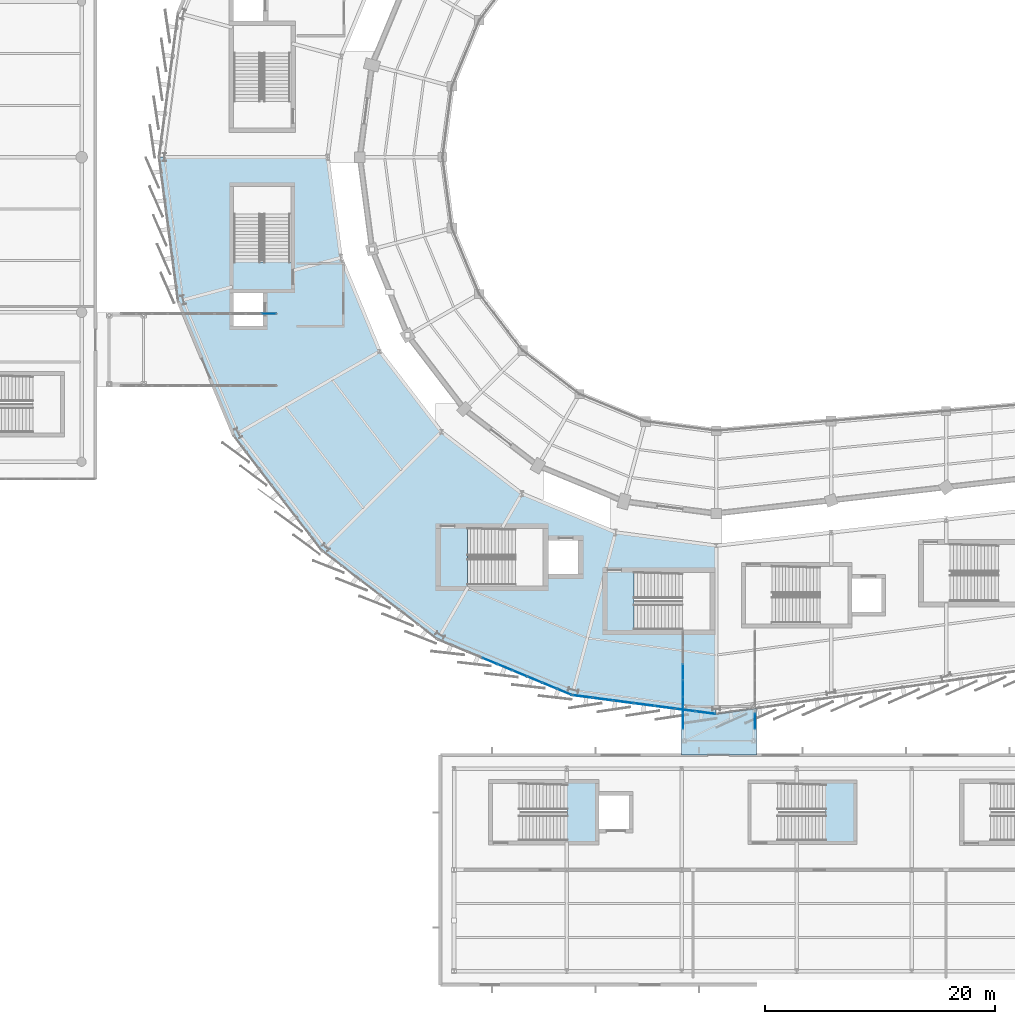
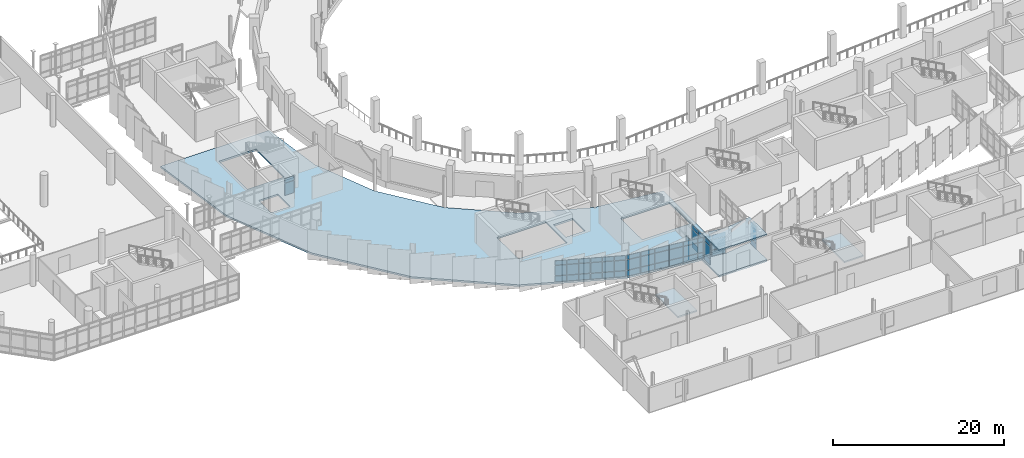
# One storey, part 82 of 125: 54 plates, 5 slabs, 7 elements without a shape of their own.
"""IFC4 building model written with IfcOpenShell, lengths in metres."""

from ifc_helpers import new_model, si_unit, direction, frame, origin, origin_2d, place, context, subcontext, project, spatial, polyline, rectangle, outline, extrude, material, layer, layer_set, type_object, element, aggregate, save


model = new_model("IFC4")

# Units and contexts
model_context = context("Model", 3, precision=1e-05, world=origin(), true_north=direction((0.0, 1.0)))
body_context = subcontext(model_context, "Body", "Model", "MODEL_VIEW")
ifc_project = project(units=[si_unit("LENGTHUNIT", "METRE"), si_unit("AREAUNIT", "SQUARE_METRE"), si_unit("VOLUMEUNIT", "CUBIC_METRE"), si_unit("PLANEANGLEUNIT", "RADIAN"), si_unit("MASSUNIT", "GRAM", prefix="KILO")], contexts=[model_context])

# Site, building, storey
site_placement = place(None, origin())
site = spatial("IfcSite", under=ifc_project, at=site_placement, CompositionType="ELEMENT")
building_placement = place(site_placement, origin())
building = spatial("IfcBuilding", under=site, at=building_placement, Name="Sohan Crest Arena", CompositionType="ELEMENT")
storey_placement = place(building_placement, frame((0.0, 0.0, 9.0)))
storey = spatial("IfcBuildingStorey", under=building, at=storey_placement, Name="L02", CompositionType="ELEMENT", Elevation=9.0)

# Curtain wall, plates
ifc_material_1 = material(Name="Thermally broken anodised aluminium", Category="aluminium")
ifc_layer_1 = layer(ifc_material_1, 0.18994140625, Name="Thermally broken anodised aluminium")
ifc_layer_set_1 = layer_set([ifc_layer_1], Name="Thermally broken anodised aluminium")
curtain_wall_type_1 = type_object("IfcCurtainWallType", Name="ARC-CW05", PredefinedType="NOTDEFINED", material=ifc_layer_set_1)
curtain_wall_1_placement = place(storey_placement, origin())
curtain_wall_1 = element("IfcCurtainWall", 1, at=curtain_wall_1_placement, inside=storey, type_object=curtain_wall_type_1, Name="Unitised curtain wall CW-228", PredefinedType="NOTDEFINED")
ifc_material_2 = material(Name="Low-E double-glazed insulated glass", Category="glass")
ifc_layer_2 = layer(ifc_material_2, 0.028076171875, Name="Low-E double-glazed insulated glass")
ifc_layer_set_2 = layer_set([ifc_layer_2], Name="Low-E double-glazed insulated glass")
plate_type_1 = type_object("IfcPlateType", Name="ARC-CNP01", PredefinedType="CURTAIN_PANEL", material=ifc_layer_set_2)
plate_1_placement = place(storey_placement, frame((59.103759765625, 64.3798828125, 0.93017578125), z_axis=(0.0, 0.0, 1.0), x_axis=(1.0, 0.0, 0.0)))
plate_1 = element("IfcPlate", 2, at=plate_1_placement, type_object=plate_type_1, Name="CW-228 panel 10.2", PredefinedType="CURTAIN_PANEL", context=body_context, shape_type="SweptSolid", body=[
    extrude(rectangle(XDim=1.262451171875, YDim=0.028076171875, at=origin_2d()), origin(), (0.0, 0.0, 1.0), 1.739990234375),
])
plate_2_placement = place(storey_placement, frame((59.103759765625, 64.3798828125, 2.72998046875), z_axis=(0.0, 0.0, 1.0), x_axis=(1.0, 0.0, 0.0)))
plate_2 = element("IfcPlate", 3, at=plate_2_placement, type_object=plate_type_1, Name="CW-228 panel 10.3", PredefinedType="CURTAIN_PANEL", context=body_context, shape_type="SweptSolid", body=[
    extrude(rectangle(XDim=1.262451171875, YDim=0.028076171875, at=origin_2d()), origin(), (0.0, 0.0, 1.0), 0.610107421875),
])
aggregate(curtain_wall_1, [plate_1, plate_2])

curtain_wall_2_placement = place(storey_placement, origin())
curtain_wall_2 = element("IfcCurtainWall", 4, at=curtain_wall_2_placement, inside=storey, type_object=curtain_wall_type_1, Name="Unitised curtain wall CW-251", PredefinedType="NOTDEFINED")
plate_3_placement = place(storey_placement, frame((95.1201171875, 28.932861328125, 0.06005859375), z_axis=(0.0, 0.0, 1.0), x_axis=(0.0, 1.0, 0.0)))
plate_3 = element("IfcPlate", 5, at=plate_3_placement, type_object=plate_type_1, Name="CW-251 panel 1.1", PredefinedType="CURTAIN_PANEL", context=body_context, shape_type="SweptSolid", body=[
    extrude(rectangle(XDim=1.3359375, YDim=0.028076171875, at=origin_2d()), origin(), (0.0, 0.0, 1.0), 0.81005859375),
])
plate_4_placement = place(storey_placement, frame((95.1201171875, 28.932861328125, 0.93017578125), z_axis=(0.0, 0.0, 1.0), x_axis=(0.0, 1.0, 0.0)))
plate_4 = element("IfcPlate", 6, at=plate_4_placement, type_object=plate_type_1, Name="CW-251 panel 1.2", PredefinedType="CURTAIN_PANEL", context=body_context, shape_type="SweptSolid", body=[
    extrude(rectangle(XDim=1.3359375, YDim=0.028076171875, at=origin_2d()), origin(), (0.0, 0.0, 1.0), 1.739990234375),
])
plate_5_placement = place(storey_placement, frame((95.1201171875, 28.932861328125, 2.72998046875), z_axis=(0.0, 0.0, 1.0), x_axis=(0.0, 1.0, 0.0)))
plate_5 = element("IfcPlate", 7, at=plate_5_placement, type_object=plate_type_1, Name="CW-251 panel 1.3", PredefinedType="CURTAIN_PANEL", context=body_context, shape_type="SweptSolid", body=[
    extrude(rectangle(XDim=1.3359375, YDim=0.028076171875, at=origin_2d()), origin(), (0.0, 0.0, 1.0), 0.610107421875),
])
plate_6_placement = place(storey_placement, frame((95.1201171875, 30.35009765625, 0.06005859375), z_axis=(0.0, 0.0, 1.0), x_axis=(0.0, 1.0, 0.0)))
plate_6 = element("IfcPlate", 8, at=plate_6_placement, type_object=plate_type_1, Name="CW-251 panel 2.1", PredefinedType="CURTAIN_PANEL", context=body_context, shape_type="SweptSolid", body=[
    extrude(rectangle(XDim=1.368408203125, YDim=0.028076171875, at=origin_2d()), origin(), (0.0, 0.0, 1.0), 0.81005859375),
])
plate_7_placement = place(storey_placement, frame((95.1201171875, 30.35009765625, 0.93017578125), z_axis=(0.0, 0.0, 1.0), x_axis=(0.0, 1.0, 0.0)))
plate_7 = element("IfcPlate", 9, at=plate_7_placement, type_object=plate_type_1, Name="CW-251 panel 2.2", PredefinedType="CURTAIN_PANEL", context=body_context, shape_type="SweptSolid", body=[
    extrude(rectangle(XDim=1.368408203125, YDim=0.028076171875, at=origin_2d()), origin(), (0.0, 0.0, 1.0), 1.739990234375),
])
plate_8_placement = place(storey_placement, frame((95.1201171875, 30.35009765625, 2.72998046875), z_axis=(0.0, 0.0, 1.0), x_axis=(0.0, 1.0, 0.0)))
plate_8 = element("IfcPlate", 10, at=plate_8_placement, type_object=plate_type_1, Name="CW-251 panel 2.3", PredefinedType="CURTAIN_PANEL", context=body_context, shape_type="SweptSolid", body=[
    extrude(rectangle(XDim=1.368408203125, YDim=0.028076171875, at=origin_2d()), origin(), (0.0, 0.0, 1.0), 0.610107421875),
])
plate_9_placement = place(storey_placement, frame((95.1201171875, 31.783447265625, 0.06005859375), z_axis=(0.0, 0.0, 1.0), x_axis=(0.0, 1.0, 0.0)))
plate_9 = element("IfcPlate", 11, at=plate_9_placement, type_object=plate_type_1, Name="CW-251 panel 3.1", PredefinedType="CURTAIN_PANEL", context=body_context, shape_type="SweptSolid", body=[
    extrude(rectangle(XDim=1.368408203125, YDim=0.028076171875, at=origin_2d()), origin(), (0.0, 0.0, 1.0), 0.81005859375),
])
plate_10_placement = place(storey_placement, frame((95.1201171875, 31.783447265625, 0.93017578125), z_axis=(0.0, 0.0, 1.0), x_axis=(0.0, 1.0, 0.0)))
plate_10 = element("IfcPlate", 12, at=plate_10_placement, type_object=plate_type_1, Name="CW-251 panel 3.2", PredefinedType="CURTAIN_PANEL", context=body_context, shape_type="SweptSolid", body=[
    extrude(rectangle(XDim=1.368408203125, YDim=0.028076171875, at=origin_2d()), origin(), (0.0, 0.0, 1.0), 1.739990234375),
])
plate_11_placement = place(storey_placement, frame((95.1201171875, 31.783447265625, 2.72998046875), z_axis=(0.0, 0.0, 1.0), x_axis=(0.0, 1.0, 0.0)))
plate_11 = element("IfcPlate", 13, at=plate_11_placement, type_object=plate_type_1, Name="CW-251 panel 3.3", PredefinedType="CURTAIN_PANEL", context=body_context, shape_type="SweptSolid", body=[
    extrude(rectangle(XDim=1.368408203125, YDim=0.028076171875, at=origin_2d()), origin(), (0.0, 0.0, 1.0), 0.610107421875),
])
plate_12_placement = place(storey_placement, frame((95.1201171875, 33.216552734375, 0.06005859375), z_axis=(0.0, 0.0, 1.0), x_axis=(0.0, 1.0, 0.0)))
plate_12 = element("IfcPlate", 14, at=plate_12_placement, type_object=plate_type_1, Name="CW-251 panel 4.1", PredefinedType="CURTAIN_PANEL", context=body_context, shape_type="SweptSolid", body=[
    extrude(rectangle(XDim=1.368408203125, YDim=0.028076171875, at=origin_2d()), origin(), (0.0, 0.0, 1.0), 0.81005859375),
])
aggregate(curtain_wall_2, [plate_3, plate_4, plate_5, plate_6, plate_7, plate_8, plate_9, plate_10, plate_11, plate_12])

curtain_wall_3_placement = place(storey_placement, origin())
curtain_wall_3 = element("IfcCurtainWall", 15, at=curtain_wall_3_placement, inside=storey, type_object=curtain_wall_type_1, Name="Unitised curtain wall CW-252", PredefinedType="NOTDEFINED")
plate_13_placement = place(storey_placement, frame((101.3798828125, 28.932861328125, 0.06005859375), z_axis=(0.0, 0.0, 1.0), x_axis=(0.0, 1.0, 0.0)))
plate_13 = element("IfcPlate", 16, at=plate_13_placement, type_object=plate_type_1, Name="CW-252 panel 1.1", PredefinedType="CURTAIN_PANEL", context=body_context, shape_type="SweptSolid", body=[
    extrude(rectangle(XDim=1.3359375, YDim=0.028076171875, at=origin_2d()), origin(), (0.0, 0.0, 1.0), 0.81005859375),
])
plate_14_placement = place(storey_placement, frame((101.3798828125, 28.932861328125, 0.93017578125), z_axis=(0.0, 0.0, 1.0), x_axis=(0.0, 1.0, 0.0)))
plate_14 = element("IfcPlate", 17, at=plate_14_placement, type_object=plate_type_1, Name="CW-252 panel 1.2", PredefinedType="CURTAIN_PANEL", context=body_context, shape_type="SweptSolid", body=[
    extrude(rectangle(XDim=1.3359375, YDim=0.028076171875, at=origin_2d()), origin(), (0.0, 0.0, 1.0), 1.739990234375),
])
plate_15_placement = place(storey_placement, frame((101.3798828125, 28.932861328125, 2.72998046875), z_axis=(0.0, 0.0, 1.0), x_axis=(0.0, 1.0, 0.0)))
plate_15 = element("IfcPlate", 18, at=plate_15_placement, type_object=plate_type_1, Name="CW-252 panel 1.3", PredefinedType="CURTAIN_PANEL", context=body_context, shape_type="SweptSolid", body=[
    extrude(rectangle(XDim=1.3359375, YDim=0.028076171875, at=origin_2d()), origin(), (0.0, 0.0, 1.0), 0.610107421875),
])
aggregate(curtain_wall_3, [plate_13, plate_14, plate_15])

curtain_wall_4_placement = place(storey_placement, origin())
curtain_wall_4 = element("IfcCurtainWall", 19, at=curtain_wall_4_placement, inside=storey, type_object=curtain_wall_type_1, Name="Unitised curtain wall CW-058", PredefinedType="NOTDEFINED")
ifc_material_3 = material(Name="Ceramic-fritted solar-control insulated glass", Category="glass")
ifc_layer_3 = layer(ifc_material_3, 0.035888671875, Name="Ceramic-fritted solar-control insulated glass")
ifc_layer_set_3 = layer_set([ifc_layer_3], Name="Ceramic-fritted solar-control insulated glass")
plate_type_2 = type_object("IfcPlateType", Name="ARC-CNP03", PredefinedType="CURTAIN_PANEL", material=ifc_layer_set_3)
plate_16_placement = place(storey_placement, frame((78.319091796875, 34.15869140625, 0.06494140625), z_axis=(0.0, 0.0, 1.0), x_axis=(0.92388192189, -0.382677663845, 0.0)))
plate_16 = element("IfcPlate", 20, at=plate_16_placement, type_object=plate_type_2, Name="CW-058 panel 4.1", PredefinedType="CURTAIN_PANEL", context=body_context, shape_type="SweptSolid", body=[
    extrude(rectangle(XDim=1.335205078125, YDim=0.035888671875, at=origin_2d()), origin(), (0.0, 0.0, 1.0), 0.802490234375),
])
plate_17_placement = place(storey_placement, frame((78.319091796875, 34.15869140625, 0.932373046875), z_axis=(0.0, 0.0, 1.0), x_axis=(0.92388192189, -0.382677663845, 0.0)))
plate_17 = element("IfcPlate", 21, at=plate_17_placement, type_object=plate_type_2, Name="CW-058 panel 4.2", PredefinedType="CURTAIN_PANEL", context=body_context, shape_type="SweptSolid", body=[
    extrude(rectangle(XDim=1.335205078125, YDim=0.035888671875, at=origin_2d()), origin(), (0.0, 0.0, 1.0), 1.455078125),
])
plate_18_placement = place(storey_placement, frame((78.319091796875, 34.15869140625, 2.452392578125), z_axis=(0.0, 0.0, 1.0), x_axis=(0.92388192189, -0.382677663845, 0.0)))
plate_18 = element("IfcPlate", 22, at=plate_18_placement, type_object=plate_type_2, Name="CW-058 panel 4.3", PredefinedType="CURTAIN_PANEL", context=body_context, shape_type="SweptSolid", body=[
    extrude(rectangle(XDim=1.335205078125, YDim=0.035888671875, at=origin_2d()), origin(), (0.0, 0.0, 1.0), 0.6025390625),
])
plate_19_placement = place(storey_placement, frame((79.617431640625, 33.62109375, 0.06494140625), z_axis=(0.0, 0.0, 1.0), x_axis=(0.92388192189, -0.382677663845, 0.0)))
plate_19 = element("IfcPlate", 23, at=plate_19_placement, type_object=plate_type_2, Name="CW-058 panel 5.1", PredefinedType="CURTAIN_PANEL", context=body_context, shape_type="SweptSolid", body=[
    extrude(rectangle(XDim=1.335205078125, YDim=0.035888671875, at=origin_2d()), origin(), (0.0, 0.0, 1.0), 0.802490234375),
])
plate_20_placement = place(storey_placement, frame((79.617431640625, 33.62109375, 0.932373046875), z_axis=(0.0, 0.0, 1.0), x_axis=(0.92388192189, -0.382677663845, 0.0)))
plate_20 = element("IfcPlate", 24, at=plate_20_placement, type_object=plate_type_2, Name="CW-058 panel 5.2", PredefinedType="CURTAIN_PANEL", context=body_context, shape_type="SweptSolid", body=[
    extrude(rectangle(XDim=1.335205078125, YDim=0.035888671875, at=origin_2d()), origin(), (0.0, 0.0, 1.0), 1.455078125),
])
plate_21_placement = place(storey_placement, frame((79.617431640625, 33.62109375, 2.452392578125), z_axis=(0.0, 0.0, 1.0), x_axis=(0.92388192189, -0.382677663845, 0.0)))
plate_21 = element("IfcPlate", 25, at=plate_21_placement, type_object=plate_type_2, Name="CW-058 panel 5.3", PredefinedType="CURTAIN_PANEL", context=body_context, shape_type="SweptSolid", body=[
    extrude(rectangle(XDim=1.335205078125, YDim=0.035888671875, at=origin_2d()), origin(), (0.0, 0.0, 1.0), 0.6025390625),
])
plate_22_placement = place(storey_placement, frame((80.915771484375, 33.083251953125, 0.06494140625), z_axis=(0.0, 0.0, 1.0), x_axis=(0.92388192189, -0.382677663845, 0.0)))
plate_22 = element("IfcPlate", 26, at=plate_22_placement, type_object=plate_type_2, Name="CW-058 panel 6.1", PredefinedType="CURTAIN_PANEL", context=body_context, shape_type="SweptSolid", body=[
    extrude(rectangle(XDim=1.335205078125, YDim=0.035888671875, at=origin_2d()), origin(), (0.0, 0.0, 1.0), 0.802490234375),
])
plate_23_placement = place(storey_placement, frame((80.915771484375, 33.083251953125, 0.932373046875), z_axis=(0.0, 0.0, 1.0), x_axis=(0.92388192189, -0.382677663845, 0.0)))
plate_23 = element("IfcPlate", 27, at=plate_23_placement, type_object=plate_type_2, Name="CW-058 panel 6.2", PredefinedType="CURTAIN_PANEL", context=body_context, shape_type="SweptSolid", body=[
    extrude(rectangle(XDim=1.335205078125, YDim=0.035888671875, at=origin_2d()), origin(), (0.0, 0.0, 1.0), 1.455078125),
])
plate_24_placement = place(storey_placement, frame((80.915771484375, 33.083251953125, 2.452392578125), z_axis=(0.0, 0.0, 1.0), x_axis=(0.92388192189, -0.382677663845, 0.0)))
plate_24 = element("IfcPlate", 28, at=plate_24_placement, type_object=plate_type_2, Name="CW-058 panel 6.3", PredefinedType="CURTAIN_PANEL", context=body_context, shape_type="SweptSolid", body=[
    extrude(rectangle(XDim=1.335205078125, YDim=0.035888671875, at=origin_2d()), origin(), (0.0, 0.0, 1.0), 0.6025390625),
])
plate_25_placement = place(storey_placement, frame((82.214111328125, 32.54541015625, 0.06494140625), z_axis=(0.0, 0.0, 1.0), x_axis=(0.92388192189, -0.382677663845, 0.0)))
plate_25 = element("IfcPlate", 29, at=plate_25_placement, type_object=plate_type_2, Name="CW-058 panel 7.1", PredefinedType="CURTAIN_PANEL", context=body_context, shape_type="SweptSolid", body=[
    extrude(rectangle(XDim=1.335205078125, YDim=0.035888671875, at=origin_2d()), origin(), (0.0, 0.0, 1.0), 0.802490234375),
])
plate_26_placement = place(storey_placement, frame((82.214111328125, 32.54541015625, 0.932373046875), z_axis=(0.0, 0.0, 1.0), x_axis=(0.92388192189, -0.382677663845, 0.0)))
plate_26 = element("IfcPlate", 30, at=plate_26_placement, type_object=plate_type_2, Name="CW-058 panel 7.2", PredefinedType="CURTAIN_PANEL", context=body_context, shape_type="SweptSolid", body=[
    extrude(rectangle(XDim=1.335205078125, YDim=0.035888671875, at=origin_2d()), origin(), (0.0, 0.0, 1.0), 1.455078125),
])
plate_27_placement = place(storey_placement, frame((82.214111328125, 32.54541015625, 2.452392578125), z_axis=(0.0, 0.0, 1.0), x_axis=(0.92388192189, -0.382677663845, 0.0)))
plate_27 = element("IfcPlate", 31, at=plate_27_placement, type_object=plate_type_2, Name="CW-058 panel 7.3", PredefinedType="CURTAIN_PANEL", context=body_context, shape_type="SweptSolid", body=[
    extrude(rectangle(XDim=1.335205078125, YDim=0.035888671875, at=origin_2d()), origin(), (0.0, 0.0, 1.0), 0.6025390625),
])
plate_28_placement = place(storey_placement, frame((83.512451171875, 32.007568359375, 0.06494140625), z_axis=(0.0, 0.0, 1.0), x_axis=(0.92388192189, -0.382677663845, 0.0)))
plate_28 = element("IfcPlate", 32, at=plate_28_placement, type_object=plate_type_2, Name="CW-058 panel 8.1", PredefinedType="CURTAIN_PANEL", context=body_context, shape_type="SweptSolid", body=[
    extrude(rectangle(XDim=1.335205078125, YDim=0.035888671875, at=origin_2d()), origin(), (0.0, 0.0, 1.0), 0.802490234375),
])
plate_29_placement = place(storey_placement, frame((83.512451171875, 32.007568359375, 0.932373046875), z_axis=(0.0, 0.0, 1.0), x_axis=(0.92388192189, -0.382677663845, 0.0)))
plate_29 = element("IfcPlate", 33, at=plate_29_placement, type_object=plate_type_2, Name="CW-058 panel 8.2", PredefinedType="CURTAIN_PANEL", context=body_context, shape_type="SweptSolid", body=[
    extrude(rectangle(XDim=1.335205078125, YDim=0.035888671875, at=origin_2d()), origin(), (0.0, 0.0, 1.0), 1.455078125),
])
plate_30_placement = place(storey_placement, frame((83.512451171875, 32.007568359375, 2.452392578125), z_axis=(0.0, 0.0, 1.0), x_axis=(0.92388192189, -0.382677663845, 0.0)))
plate_30 = element("IfcPlate", 34, at=plate_30_placement, type_object=plate_type_2, Name="CW-058 panel 8.3", PredefinedType="CURTAIN_PANEL", context=body_context, shape_type="SweptSolid", body=[
    extrude(rectangle(XDim=1.335205078125, YDim=0.035888671875, at=origin_2d()), origin(), (0.0, 0.0, 1.0), 0.6025390625),
])
plate_31_placement = place(storey_placement, frame((84.794677734375, 31.4765625, 0.06494140625), z_axis=(0.0, 0.0, 1.0), x_axis=(0.92388192189, -0.382677663845, 0.0)))
plate_31 = element("IfcPlate", 35, at=plate_31_placement, type_object=plate_type_2, Name="CW-058 panel 9.1", PredefinedType="CURTAIN_PANEL", context=body_context, shape_type="SweptSolid", body=[
    extrude(rectangle(XDim=1.30029296875, YDim=0.035888671875, at=origin_2d()), origin(), (0.0, 0.0, 1.0), 0.802490234375),
])
plate_32_placement = place(storey_placement, frame((84.794677734375, 31.4765625, 0.932373046875), z_axis=(0.0, 0.0, 1.0), x_axis=(0.92388192189, -0.382677663845, 0.0)))
plate_32 = element("IfcPlate", 36, at=plate_32_placement, type_object=plate_type_2, Name="CW-058 panel 9.2", PredefinedType="CURTAIN_PANEL", context=body_context, shape_type="SweptSolid", body=[
    extrude(rectangle(XDim=1.30029296875, YDim=0.035888671875, at=origin_2d()), origin(), (0.0, 0.0, 1.0), 1.455078125),
])
plate_33_placement = place(storey_placement, frame((84.794677734375, 31.4765625, 2.452392578125), z_axis=(0.0, 0.0, 1.0), x_axis=(0.92388192189, -0.382677663845, 0.0)))
plate_33 = element("IfcPlate", 37, at=plate_33_placement, type_object=plate_type_2, Name="CW-058 panel 9.3", PredefinedType="CURTAIN_PANEL", context=body_context, shape_type="SweptSolid", body=[
    extrude(rectangle(XDim=1.30029296875, YDim=0.035888671875, at=origin_2d()), origin(), (0.0, 0.0, 1.0), 0.6025390625),
])
aggregate(curtain_wall_4, [plate_16, plate_17, plate_18, plate_19, plate_20, plate_21, plate_22, plate_23, plate_24, plate_25, plate_26, plate_27, plate_28, plate_29, plate_30, plate_31, plate_32, plate_33])

ifc_layer_4 = layer(ifc_material_1, 0.2099609375, Name="Thermally broken anodised aluminium")
ifc_layer_set_4 = layer_set([ifc_layer_4], Name="Thermally broken anodised aluminium")
curtain_wall_type_2 = type_object("IfcCurtainWallType", Name="ARC-CW06", PredefinedType="NOTDEFINED", material=ifc_layer_set_4)
curtain_wall_5_placement = place(storey_placement, origin())
curtain_wall_5 = element("IfcCurtainWall", 38, at=curtain_wall_5_placement, inside=storey, type_object=curtain_wall_type_2, Name="Unitised curtain wall CW-059", PredefinedType="NOTDEFINED")
ifc_material_4 = material(Name="Insulated polychrome ceramic spandrel panel", Category="masonry")
ifc_layer_5 = layer(ifc_material_4, 0.0419921875, Name="Insulated polychrome ceramic spandrel panel")
ifc_layer_set_5 = layer_set([ifc_layer_5], Name="Insulated polychrome ceramic spandrel panel")
plate_type_3 = type_object("IfcPlateType", Name="ARC-CNP04", PredefinedType="CURTAIN_PANEL", material=ifc_layer_set_5)
plate_34_placement = place(storey_placement, frame((86.374267578125, 31.08056640625, 0.070068359375), z_axis=(0.0, 0.0, 1.0), x_axis=(0.991444066575, -0.130532229177, 0.0)))
plate_34 = element("IfcPlate", 39, at=plate_34_placement, type_object=plate_type_3, Name="CW-059 panel 1.1", PredefinedType="CURTAIN_PANEL", context=body_context, shape_type="SweptSolid", body=[
    extrude(rectangle(XDim=1.6943359375, YDim=0.0419921875, at=origin_2d()), origin(), (0.0, 0.0, 1.0), 0.794921875),
])
plate_35_placement = place(storey_placement, frame((86.374267578125, 31.08056640625, 0.93505859375), z_axis=(0.0, 0.0, 1.0), x_axis=(0.991444066575, -0.130532229177, 0.0)))
plate_35 = element("IfcPlate", 40, at=plate_35_placement, type_object=plate_type_3, Name="CW-059 panel 1.2", PredefinedType="CURTAIN_PANEL", context=body_context, shape_type="SweptSolid", body=[
    extrude(rectangle(XDim=1.6943359375, YDim=0.0419921875, at=origin_2d()), origin(), (0.0, 0.0, 1.0), 1.449951171875),
])
plate_36_placement = place(storey_placement, frame((86.374267578125, 31.08056640625, 2.455078125), z_axis=(0.0, 0.0, 1.0), x_axis=(0.991444066575, -0.130532229177, 0.0)))
plate_36 = element("IfcPlate", 41, at=plate_36_placement, type_object=plate_type_3, Name="CW-059 panel 1.3", PredefinedType="CURTAIN_PANEL", context=body_context, shape_type="SweptSolid", body=[
    extrude(rectangle(XDim=1.6943359375, YDim=0.0419921875, at=origin_2d()), origin(), (0.0, 0.0, 1.0), 0.594970703125),
])
plate_37_placement = place(storey_placement, frame((88.147216796875, 30.84716796875, 0.070068359375), z_axis=(0.0, 0.0, 1.0), x_axis=(0.991444066575, -0.130532229177, 0.0)))
plate_37 = element("IfcPlate", 42, at=plate_37_placement, type_object=plate_type_3, Name="CW-059 panel 2.1", PredefinedType="CURTAIN_PANEL", context=body_context, shape_type="SweptSolid", body=[
    extrude(rectangle(XDim=1.73193359375, YDim=0.0419921875, at=origin_2d()), origin(), (0.0, 0.0, 1.0), 0.794921875),
])
plate_38_placement = place(storey_placement, frame((88.147216796875, 30.84716796875, 0.93505859375), z_axis=(0.0, 0.0, 1.0), x_axis=(0.991444066575, -0.130532229177, 0.0)))
plate_38 = element("IfcPlate", 43, at=plate_38_placement, type_object=plate_type_3, Name="CW-059 panel 2.2", PredefinedType="CURTAIN_PANEL", context=body_context, shape_type="SweptSolid", body=[
    extrude(rectangle(XDim=1.73193359375, YDim=0.0419921875, at=origin_2d()), origin(), (0.0, 0.0, 1.0), 1.449951171875),
])
plate_39_placement = place(storey_placement, frame((88.147216796875, 30.84716796875, 2.455078125), z_axis=(0.0, 0.0, 1.0), x_axis=(0.991444066575, -0.130532229177, 0.0)))
plate_39 = element("IfcPlate", 44, at=plate_39_placement, type_object=plate_type_3, Name="CW-059 panel 2.3", PredefinedType="CURTAIN_PANEL", context=body_context, shape_type="SweptSolid", body=[
    extrude(rectangle(XDim=1.73193359375, YDim=0.0419921875, at=origin_2d()), origin(), (0.0, 0.0, 1.0), 0.594970703125),
])
plate_40_placement = place(storey_placement, frame((89.9384765625, 30.611328125, 0.070068359375), z_axis=(0.0, 0.0, 1.0), x_axis=(0.991444066575, -0.130532229177, 0.0)))
plate_40 = element("IfcPlate", 45, at=plate_40_placement, type_object=plate_type_3, Name="CW-059 panel 3.1", PredefinedType="CURTAIN_PANEL", context=body_context, shape_type="SweptSolid", body=[
    extrude(rectangle(XDim=1.73193359375, YDim=0.0419921875, at=origin_2d()), origin(), (0.0, 0.0, 1.0), 0.794921875),
])
plate_41_placement = place(storey_placement, frame((89.9384765625, 30.611328125, 0.93505859375), z_axis=(0.0, 0.0, 1.0), x_axis=(0.991444066575, -0.130532229177, 0.0)))
plate_41 = element("IfcPlate", 46, at=plate_41_placement, type_object=plate_type_3, Name="CW-059 panel 3.2", PredefinedType="CURTAIN_PANEL", context=body_context, shape_type="SweptSolid", body=[
    extrude(rectangle(XDim=1.73193359375, YDim=0.0419921875, at=origin_2d()), origin(), (0.0, 0.0, 1.0), 1.449951171875),
])
plate_42_placement = place(storey_placement, frame((89.9384765625, 30.611328125, 2.455078125), z_axis=(0.0, 0.0, 1.0), x_axis=(0.991444066575, -0.130532229177, 0.0)))
plate_42 = element("IfcPlate", 47, at=plate_42_placement, type_object=plate_type_3, Name="CW-059 panel 3.3", PredefinedType="CURTAIN_PANEL", context=body_context, shape_type="SweptSolid", body=[
    extrude(rectangle(XDim=1.73193359375, YDim=0.0419921875, at=origin_2d()), origin(), (0.0, 0.0, 1.0), 0.594970703125),
])
plate_43_placement = place(storey_placement, frame((91.72998046875, 30.37548828125, 0.070068359375), z_axis=(0.0, 0.0, 1.0), x_axis=(0.991444066575, -0.130532229177, 0.0)))
plate_43 = element("IfcPlate", 48, at=plate_43_placement, type_object=plate_type_3, Name="CW-059 panel 4.1", PredefinedType="CURTAIN_PANEL", context=body_context, shape_type="SweptSolid", body=[
    extrude(rectangle(XDim=1.73193359375, YDim=0.0419921875, at=origin_2d()), origin(), (0.0, 0.0, 1.0), 0.794921875),
])
plate_44_placement = place(storey_placement, frame((91.72998046875, 30.37548828125, 0.93505859375), z_axis=(0.0, 0.0, 1.0), x_axis=(0.991444066575, -0.130532229177, 0.0)))
plate_44 = element("IfcPlate", 49, at=plate_44_placement, type_object=plate_type_3, Name="CW-059 panel 4.2", PredefinedType="CURTAIN_PANEL", context=body_context, shape_type="SweptSolid", body=[
    extrude(rectangle(XDim=1.73193359375, YDim=0.0419921875, at=origin_2d()), origin(), (0.0, 0.0, 1.0), 1.449951171875),
])
plate_45_placement = place(storey_placement, frame((91.72998046875, 30.37548828125, 2.455078125), z_axis=(0.0, 0.0, 1.0), x_axis=(0.991444066575, -0.130532229177, 0.0)))
plate_45 = element("IfcPlate", 50, at=plate_45_placement, type_object=plate_type_3, Name="CW-059 panel 4.3", PredefinedType="CURTAIN_PANEL", context=body_context, shape_type="SweptSolid", body=[
    extrude(rectangle(XDim=1.73193359375, YDim=0.0419921875, at=origin_2d()), origin(), (0.0, 0.0, 1.0), 0.594970703125),
])
plate_46_placement = place(storey_placement, frame((93.521484375, 30.1396484375, 0.070068359375), z_axis=(0.0, 0.0, 1.0), x_axis=(0.991444066575, -0.130532229177, 0.0)))
plate_46 = element("IfcPlate", 51, at=plate_46_placement, type_object=plate_type_3, Name="CW-059 panel 5.1", PredefinedType="CURTAIN_PANEL", context=body_context, shape_type="SweptSolid", body=[
    extrude(rectangle(XDim=1.73193359375, YDim=0.0419921875, at=origin_2d()), origin(), (0.0, 0.0, 1.0), 0.794921875),
])
plate_47_placement = place(storey_placement, frame((93.521484375, 30.1396484375, 0.93505859375), z_axis=(0.0, 0.0, 1.0), x_axis=(0.991444066575, -0.130532229177, 0.0)))
plate_47 = element("IfcPlate", 52, at=plate_47_placement, type_object=plate_type_3, Name="CW-059 panel 5.2", PredefinedType="CURTAIN_PANEL", context=body_context, shape_type="SweptSolid", body=[
    extrude(rectangle(XDim=1.73193359375, YDim=0.0419921875, at=origin_2d()), origin(), (0.0, 0.0, 1.0), 1.449951171875),
])
plate_48_placement = place(storey_placement, frame((93.521484375, 30.1396484375, 2.455078125), z_axis=(0.0, 0.0, 1.0), x_axis=(0.991444066575, -0.130532229177, 0.0)))
plate_48 = element("IfcPlate", 53, at=plate_48_placement, type_object=plate_type_3, Name="CW-059 panel 5.3", PredefinedType="CURTAIN_PANEL", context=body_context, shape_type="SweptSolid", body=[
    extrude(rectangle(XDim=1.73193359375, YDim=0.0419921875, at=origin_2d()), origin(), (0.0, 0.0, 1.0), 0.594970703125),
])
plate_49_placement = place(storey_placement, frame((95.312744140625, 29.90380859375, 0.070068359375), z_axis=(0.0, 0.0, 1.0), x_axis=(0.991444066575, -0.130532229177, 0.0)))
plate_49 = element("IfcPlate", 54, at=plate_49_placement, type_object=plate_type_3, Name="CW-059 panel 6.1", PredefinedType="CURTAIN_PANEL", context=body_context, shape_type="SweptSolid", body=[
    extrude(rectangle(XDim=1.73193359375, YDim=0.0419921875, at=origin_2d()), origin(), (0.0, 0.0, 1.0), 0.794921875),
])
plate_50_placement = place(storey_placement, frame((95.312744140625, 29.90380859375, 0.93505859375), z_axis=(0.0, 0.0, 1.0), x_axis=(0.991444066575, -0.130532229177, 0.0)))
plate_50 = element("IfcPlate", 55, at=plate_50_placement, type_object=plate_type_3, Name="CW-059 panel 6.2", PredefinedType="CURTAIN_PANEL", context=body_context, shape_type="SweptSolid", body=[
    extrude(rectangle(XDim=1.73193359375, YDim=0.0419921875, at=origin_2d()), origin(), (0.0, 0.0, 1.0), 1.449951171875),
])
plate_51_placement = place(storey_placement, frame((95.312744140625, 29.90380859375, 2.455078125), z_axis=(0.0, 0.0, 1.0), x_axis=(0.991444066575, -0.130532229177, 0.0)))
plate_51 = element("IfcPlate", 56, at=plate_51_placement, type_object=plate_type_3, Name="CW-059 panel 6.3", PredefinedType="CURTAIN_PANEL", context=body_context, shape_type="SweptSolid", body=[
    extrude(rectangle(XDim=1.73193359375, YDim=0.0419921875, at=origin_2d()), origin(), (0.0, 0.0, 1.0), 0.594970703125),
])
plate_52_placement = place(storey_placement, frame((97.085693359375, 29.67041015625, 0.070068359375), z_axis=(0.0, 0.0, 1.0), x_axis=(0.991444066575, -0.130532229177, 0.0)))
plate_52 = element("IfcPlate", 57, at=plate_52_placement, type_object=plate_type_3, Name="CW-059 panel 7.1", PredefinedType="CURTAIN_PANEL", context=body_context, shape_type="SweptSolid", body=[
    extrude(rectangle(XDim=1.6943359375, YDim=0.0419921875, at=origin_2d()), origin(), (0.0, 0.0, 1.0), 0.794921875),
])
plate_53_placement = place(storey_placement, frame((97.085693359375, 29.67041015625, 0.93505859375), z_axis=(0.0, 0.0, 1.0), x_axis=(0.991444066575, -0.130532229177, 0.0)))
plate_53 = element("IfcPlate", 58, at=plate_53_placement, type_object=plate_type_3, Name="CW-059 panel 7.2", PredefinedType="CURTAIN_PANEL", context=body_context, shape_type="SweptSolid", body=[
    extrude(rectangle(XDim=1.6943359375, YDim=0.0419921875, at=origin_2d()), origin(), (0.0, 0.0, 1.0), 1.449951171875),
])
plate_54_placement = place(storey_placement, frame((97.085693359375, 29.67041015625, 2.455078125), z_axis=(0.0, 0.0, 1.0), x_axis=(0.991444066575, -0.130532229177, 0.0)))
plate_54 = element("IfcPlate", 59, at=plate_54_placement, type_object=plate_type_3, Name="CW-059 panel 7.3", PredefinedType="CURTAIN_PANEL", context=body_context, shape_type="SweptSolid", body=[
    extrude(rectangle(XDim=1.6943359375, YDim=0.0419921875, at=origin_2d()), origin(), (0.0, 0.0, 1.0), 0.594970703125),
])
aggregate(curtain_wall_5, [plate_34, plate_35, plate_36, plate_37, plate_38, plate_39, plate_40, plate_41, plate_42, plate_43, plate_44, plate_45, plate_46, plate_47, plate_48, plate_49, plate_50, plate_51, plate_52, plate_53, plate_54])

# Slabs
ifc_material_5 = material(Name="Concrete C40/50", Category="concrete")
ifc_layer_6 = layer(ifc_material_5, 0.25, Name="Concrete C40/50")
ifc_layer_set_6 = layer_set([ifc_layer_6], Name="Concrete C40/50")
slab_type_1 = type_object("IfcSlabType", Name="SL-FLR3", PredefinedType="FLOOR", material=ifc_layer_set_6)
slab_1_placement = place(storey_placement, frame((0.0, 0.0, -0.25)))
element("IfcSlab", 60, at=slab_1_placement, inside=storey, type_object=slab_type_1, Name="Concourse ring L02 sector 2 SL-L02-V2S2", PredefinedType="FLOOR", context=body_context, shape_type="SweptSolid", body=[
    extrude(outline(polyline([(63.740966796875, 43.740966796875), (56.041015625, 53.77490234375), (51.200927734375, 65.4599609375), (49.550048828125, 78.0), (64.199951171875, 78.0), (65.35205078125, 69.251953125), (68.72802734375, 61.10009765625), (74.10009765625, 54.10009765625), (81.10009765625, 48.72802734375), (89.251953125, 45.35205078125), (98.0, 44.199951171875), (98.0, 29.550048828125), (85.4599609375, 31.200927734375), (73.77490234375, 36.041015625), (63.740966796875, 43.740966796875)]), holes=[polyline([(61.0, 75.449951171875), (56.0, 75.449951171875), (56.0, 68.8701171875), (61.0, 68.8701171875), (61.0, 75.449951171875)]), polyline([(58.60009765625, 63.300048828125), (58.60009765625, 66.199951171875), (56.0, 66.199951171875), (56.0, 63.300048828125), (58.60009765625, 63.300048828125)]), polyline([(82.949951171875, 45.699951171875), (76.3701171875, 45.699951171875), (76.3701171875, 40.699951171875), (82.949951171875, 40.699951171875), (82.949951171875, 45.699951171875)]), polyline([(86.0, 41.75), (86.0, 44.64990234375), (83.39990234375, 44.64990234375), (83.39990234375, 41.75), (86.0, 41.75)]), polyline([(97.449951171875, 41.860107421875), (90.8701171875, 41.860107421875), (90.8701171875, 36.860107421875), (97.449951171875, 36.860107421875), (97.449951171875, 41.860107421875)])]), origin(), (0.0, 0.0, 1.0), 0.25),
])
ifc_layer_7 = layer(ifc_material_5, 0.27490234375, Name="Concrete C40/50")
ifc_layer_set_7 = layer_set([ifc_layer_7], Name="Concrete C40/50")
slab_type_2 = type_object("IfcSlabType", Name="SL-FLR4", PredefinedType="FLOOR", material=ifc_layer_set_7)
slab_2_placement = place(storey_placement, frame((0.0, 0.0, -0.27490234375)))
element("IfcSlab", 61, at=slab_2_placement, inside=storey, type_object=slab_type_2, Name="Covered bridge BR-S1 L02 deck SL-BR-S1-L02", PredefinedType="FLOOR", context=body_context, shape_type="SweptSolid", body=[
    extrude(outline(polyline([(101.5, 26.0), (95.0, 26.0), (95.0, 29.945068359375), (98.0, 29.550048828125), (101.5, 30.050048828125), (101.5, 26.0)])), origin(), (0.0, 0.0, 1.0), 0.27490234375),
])

# Stair, slab
stair_type = type_object("IfcStairType", Name="ST-450W", PredefinedType="TWO_STRAIGHT_RUN_STAIR", material=ifc_material_5)
stair_1_placement = place(storey_placement, origin())
stair_1 = element("IfcStair", 62, at=stair_1_placement, inside=storey, type_object=stair_type, Name="Protected exit stair ST12-L02", PredefinedType="TWO_STRAIGHT_RUN_STAIR")
ifc_layer_8 = layer(ifc_material_5, 0.199951171875, Name="Concrete C40/50")
ifc_layer_set_8 = layer_set([ifc_layer_8], Name="Concrete C40/50")
slab_type_3 = type_object("IfcSlabType", Name="SL-LND1", PredefinedType="LANDING", material=ifc_layer_set_8)
slab_3_placement = place(storey_placement, frame((0.0, 0.0, 2.050048828125)))
slab_3 = element("IfcSlab", 63, at=slab_3_placement, type_object=slab_type_3, Name="ST12-L02 landing 1", PredefinedType="LANDING", context=body_context, shape_type="SweptSolid", body=[
    extrude(outline(polyline([(107.530029296875, 18.35009765625), (110.10009765625, 18.35009765625), (110.10009765625, 23.64990234375), (107.530029296875, 23.64990234375), (107.530029296875, 18.35009765625)])), origin(), (0.0, 0.0, 1.0), 0.199951171875),
])
aggregate(stair_1, [slab_3])

stair_2_placement = place(storey_placement, origin())
stair_2 = element("IfcStair", 64, at=stair_2_placement, inside=storey, type_object=stair_type, Name="Protected exit stair ST17-L02", PredefinedType="TWO_STRAIGHT_RUN_STAIR")
slab_4_placement = place(storey_placement, frame((0.0, 0.0, 2.050048828125)))
slab_4 = element("IfcSlab", 65, at=slab_4_placement, type_object=slab_type_3, Name="ST17-L02 landing 1", PredefinedType="LANDING", context=body_context, shape_type="SweptSolid", body=[
    extrude(outline(polyline([(85.030029296875, 18.35009765625), (87.60009765625, 18.35009765625), (87.60009765625, 23.64990234375), (85.030029296875, 23.64990234375), (85.030029296875, 18.35009765625)])), origin(), (0.0, 0.0, 1.0), 0.199951171875),
])
aggregate(stair_2, [slab_4])

# Slab
ifc_layer_9 = layer(ifc_material_5, 0.175048828125, Name="Concrete C40/50")
ifc_layer_set_9 = layer_set([ifc_layer_9], Name="Concrete C40/50")
slab_type_4 = type_object("IfcSlabType", Name="SL-RF01", PredefinedType="ROOF", material=ifc_layer_set_9)
slab_5_placement = place(storey_placement, frame((0.0, 0.0, 3.47509765625)))
element("IfcSlab", 66, at=slab_5_placement, inside=storey, type_object=slab_type_4, Name="Covered bridge BR-S1 roof RF-BR-S1", PredefinedType="ROOF", context=body_context, shape_type="SweptSolid", body=[
    extrude(outline(polyline([(101.5, 26.0), (95.0, 26.0), (95.0, 29.945068359375), (98.0, 29.550048828125), (101.5, 30.050048828125), (101.5, 26.0)])), origin(), (0.0, 0.0, 1.0), 0.1748046875),
])

save(model, "model.ifc")
